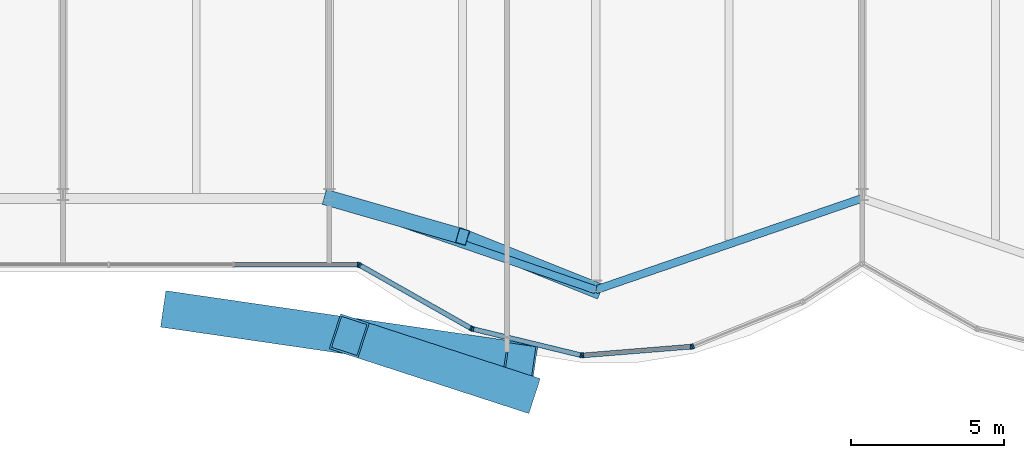
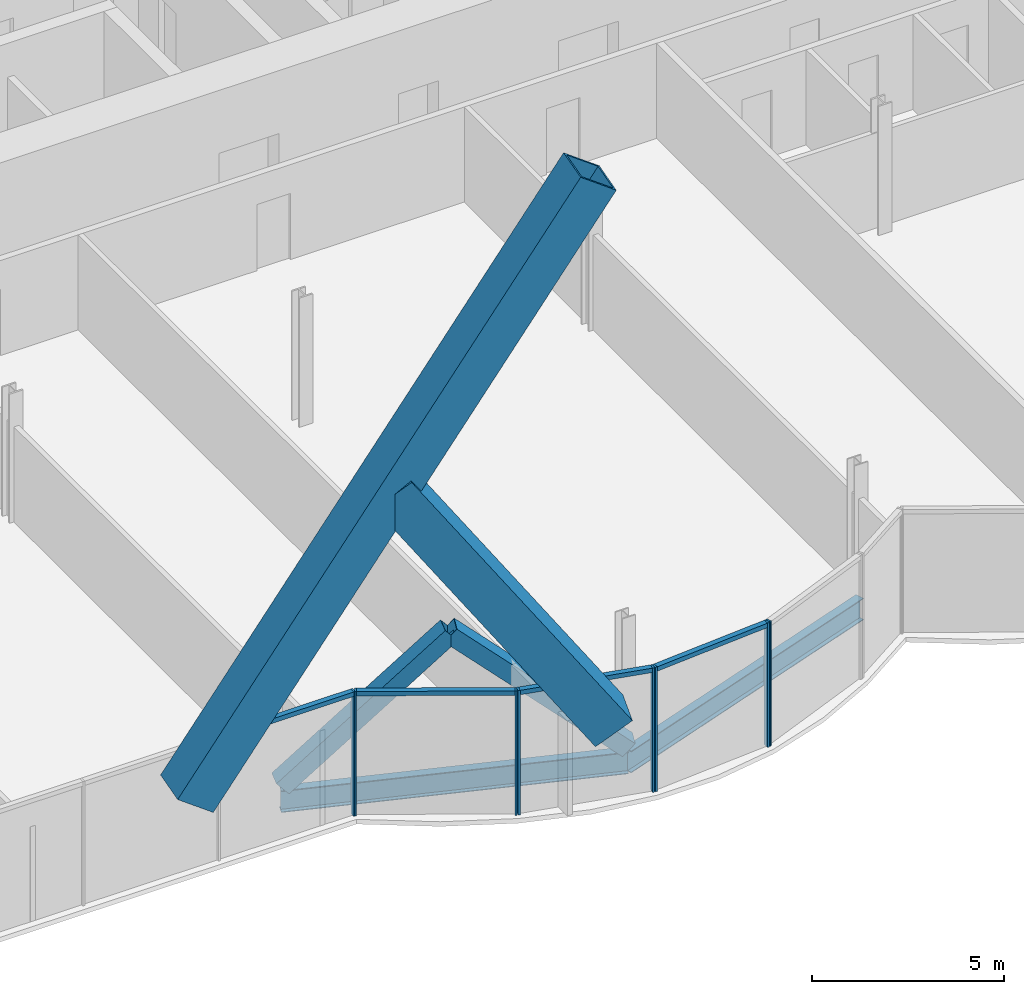
# One storey, part 5 of 22: 16 members, 2 beams, 2 elements without a shape of their own.
"""IFC4 building model written with IfcOpenShell, lengths in metres."""

from ifc_helpers import new_model, si_unit, direction, frame, origin, origin_2d, place, context, subcontext, project, spatial, rectangle, hollow_rectangle, i_section, extrude, material, material_profile, profile_set, type_object, element, aggregate, save


model = new_model("IFC4")

# Units and contexts
model_context = context("Model", 3, precision=1e-05, world=origin(), true_north=direction((0.0, 1.0)))
body_context = subcontext(model_context, "Body", "Model", "MODEL_VIEW")
ifc_project = project(units=[si_unit("LENGTHUNIT", "METRE"), si_unit("AREAUNIT", "SQUARE_METRE"), si_unit("VOLUMEUNIT", "CUBIC_METRE"), si_unit("PLANEANGLEUNIT", "RADIAN"), si_unit("MASSUNIT", "GRAM", prefix="KILO")], contexts=[model_context])

# Site, building, storey
site_placement = place(None, origin())
site = spatial("IfcSite", under=ifc_project, at=site_placement, CompositionType="ELEMENT")
building_placement = place(site_placement, origin())
building = spatial("IfcBuilding", under=site, at=building_placement, Name="Bicima Exchange Tower", CompositionType="ELEMENT")
storey_placement = place(building_placement, frame((0.0, 0.0, 102.199951171875)))
storey = spatial("IfcBuildingStorey", under=building, at=storey_placement, Name="L21", CompositionType="ELEMENT", Elevation=102.199951171875)

# Members
ifc_material_1 = material(Name="Steel ASTM A572 Gr 50", Category="steel")
ifc_material_profile_1 = material_profile(ifc_material_1, hollow_rectangle(XDim=1.199951171875, YDim=1.199951171875, WallThickness=0.070068359375, at=origin_2d()))
ifc_profile_set_1 = profile_set([ifc_material_profile_1], Name="Steel ASTM A572 Gr 50")
member_type_1 = type_object("IfcMemberType", Name="Exo mega brace BOX 1200x1200x70", PredefinedType="BRACE", material=ifc_profile_set_1)
member_1_placement = place(storey_placement, frame((-22.333251953125, -39.623779296875, 3.63330078125), z_axis=(0.551009199792, -0.080101013805, 0.830645947039), x_axis=(0.143859330984, 0.989598147173, 0.0)))
element("IfcMember", 1, at=member_1_placement, inside=storey, type_object=member_type_1, Name="Exo mega brace front", PredefinedType="BRACE", context=body_context, shape_type="SweptSolid", body=[
    extrude(hollow_rectangle(XDim=1.199951171875, YDim=1.199951171875, WallThickness=0.070068359375, at=origin_2d()), origin(), (0.0, 0.0, 1.0), 20.265625),
])
member_2_placement = place(storey_placement, frame((-11.166748046875, -42.248779296875, 3.63330078125), z_axis=(-0.54408500506, 0.176722349801, 0.820207728779), x_axis=(-0.308919619435, -0.95108814982, 0.0)))
element("IfcMember", 2, at=member_2_placement, inside=storey, type_object=member_type_1, Name="Exo mega brace front", PredefinedType="BRACE", context=body_context, shape_type="SweptSolid", body=[
    extrude(hollow_rectangle(XDim=1.199951171875, YDim=1.199951171875, WallThickness=0.070068359375, at=origin_2d()), origin(), (0.0, 0.0, 1.0), 10.26171875),
])

# Beams
ifc_material_2 = material(Name="Steel ASTM A992 Gr 50", Category="steel")
ifc_material_profile_2 = material_profile(ifc_material_2, i_section(OverallWidth=0.256591796875, OverallDepth=0.693359375, WebThickness=0.014404296875, FlangeThickness=0.023681640625, at=origin_2d()))
ifc_profile_set_2 = profile_set([ifc_material_profile_2], Name="Steel ASTM A992 Gr 50")
beam_type = type_object("IfcBeamType", Name="Front girder W27x114", PredefinedType="BEAM", material=ifc_profile_set_2)
for number, where, z_axis, x_axis, name in (
    (3, (-17.39990234375, -35.93994140625, -0.49658203125), (0.945666456746, -0.325138359143, 0.0), (0.325138359143, 0.945666456746, 0.0), "Front girder"),
    (4, (-8.699951171875, -38.93115234375, -0.49658203125), (0.945666456746, 0.325138359143, 0.0), (-0.325138359143, 0.945666456746, 0.0), "Front girder"),
):
    element("IfcBeam", number, at=place(storey_placement, frame(where, z_axis=z_axis, x_axis=x_axis)), inside=storey, type_object=beam_type, Name=name, PredefinedType="BEAM", context=body_context, shape_type="SweptSolid", body=[
        extrude(i_section(OverallWidth=0.256591796875, OverallDepth=0.693359375, WebThickness=0.014404296875, FlangeThickness=0.023681640625, at=origin_2d()), origin(), (0.0, 0.0, 1.0), 9.19970703125),
    ])

# Curtain wall, member
ifc_material_3 = material(Name="Anodised bronze aluminium", Category="aluminium")
curtain_wall_type = type_object("IfcCurtainWallType", Name="Front glass wall", PredefinedType="NOTDEFINED", material=ifc_material_3)
curtain_wall_1_placement = place(storey_placement, origin())
curtain_wall_1 = element("IfcCurtainWall", 5, at=curtain_wall_1_placement, inside=storey, type_object=curtain_wall_type, Name="Front glass wall L21 run 5", PredefinedType="NOTDEFINED")
ifc_material_profile_3 = material_profile(ifc_material_3, rectangle(XDim=0.159912109375, YDim=0.06005859375, at=origin_2d()))
ifc_profile_set_3 = profile_set([ifc_material_profile_3], Name="Anodised bronze aluminium")
member_type_2 = type_object("IfcMemberType", Name="Front glass wall mullion 60 x 160", PredefinedType="MULLION", material=ifc_profile_set_3)
member_3_placement = place(storey_placement, frame((-16.462158203125, -38.110107421875, 0.0), z_axis=(0.0, 0.0, 1.0), x_axis=(0.0, 1.0, 0.0)))
member_3 = element("IfcMember", 6, at=member_3_placement, type_object=member_type_2, Name="Front glass wall mullion 5", PredefinedType="MULLION", context=body_context, shape_type="SweptSolid", body=[
    extrude(rectangle(XDim=0.159912109375, YDim=0.06005859375, at=origin_2d()), origin(), (0.0, 0.0, 1.0), 3.949951171875),
])

# Curtain wall, members
curtain_wall_2_placement = place(storey_placement, origin())
curtain_wall_2 = element("IfcCurtainWall", 7, at=curtain_wall_2_placement, inside=storey, type_object=curtain_wall_type, Name="Front glass wall L21 run 6", PredefinedType="NOTDEFINED")
member_4_placement = place(storey_placement, frame((-16.406005859375, -38.124755859375, 0.0), z_axis=(0.0, 0.0, 1.0), x_axis=(0.493395449343, 0.869805110681, 0.0)))
member_4 = element("IfcMember", 8, at=member_4_placement, type_object=member_type_2, Name="Front glass wall mullion 1", PredefinedType="MULLION", context=body_context, shape_type="SweptSolid", body=[
    extrude(rectangle(XDim=0.159912109375, YDim=0.06005859375, at=origin_2d()), origin(), (0.0, 0.0, 1.0), 3.949951171875),
])
member_5_placement = place(storey_placement, frame((-12.7734375, -40.185302734375, 0.0), z_axis=(0.0, 0.0, 1.0), x_axis=(0.493395449343, 0.869805110681, 0.0)))
member_5 = element("IfcMember", 9, at=member_5_placement, type_object=member_type_2, Name="Front glass wall mullion 2", PredefinedType="MULLION", context=body_context, shape_type="SweptSolid", body=[
    extrude(rectangle(XDim=0.159912109375, YDim=0.06005859375, at=origin_2d()), origin(), (0.0, 0.0, 1.0), 3.949951171875),
])
member_6_placement = place(storey_placement, frame((-12.718017578125, -40.207275390625, 0.0), z_axis=(0.0, 0.0, 1.0), x_axis=(0.235681529503, 0.971830343553, 0.0)))
member_6 = element("IfcMember", 10, at=member_6_placement, type_object=member_type_2, Name="Front glass wall mullion 1", PredefinedType="MULLION", context=body_context, shape_type="SweptSolid", body=[
    extrude(rectangle(XDim=0.159912109375, YDim=0.06005859375, at=origin_2d()), origin(), (0.0, 0.0, 1.0), 3.949951171875),
])
member_7_placement = place(storey_placement, frame((-9.177490234375, -41.06591796875, 0.0), z_axis=(0.0, 0.0, 1.0), x_axis=(0.235681529503, 0.971830343553, 0.0)))
member_7 = element("IfcMember", 11, at=member_7_placement, type_object=member_type_2, Name="Front glass wall mullion 2", PredefinedType="MULLION", context=body_context, shape_type="SweptSolid", body=[
    extrude(rectangle(XDim=0.159912109375, YDim=0.06005859375, at=origin_2d()), origin(), (0.0, 0.0, 1.0), 3.949951171875),
])
member_8_placement = place(storey_placement, frame((-9.118408203125, -41.070556640625, 0.0), z_axis=(0.0, 0.0, 1.0), x_axis=(-0.080588612633, 0.99674744821, 0.0)))
member_8 = element("IfcMember", 12, at=member_8_placement, type_object=member_type_2, Name="Front glass wall mullion 1", PredefinedType="MULLION", context=body_context, shape_type="SweptSolid", body=[
    extrude(rectangle(XDim=0.159912109375, YDim=0.06005859375, at=origin_2d()), origin(), (0.0, 0.0, 1.0), 3.949951171875),
])
member_9_placement = place(storey_placement, frame((-5.583984375, -40.784912109375, 0.0), z_axis=(0.0, 0.0, 1.0), x_axis=(-0.080588612633, 0.99674744821, 0.0)))
member_9 = element("IfcMember", 13, at=member_9_placement, type_object=member_type_2, Name="Front glass wall mullion 2", PredefinedType="MULLION", context=body_context, shape_type="SweptSolid", body=[
    extrude(rectangle(XDim=0.159912109375, YDim=0.06005859375, at=origin_2d()), origin(), (0.0, 0.0, 1.0), 3.949951171875),
])
member_10_placement = place(storey_placement, frame((-5.526123046875, -40.771240234375, 0.0), z_axis=(0.0, 0.0, 1.0), x_axis=(-0.374705304, 0.92714396679, 0.0)))
member_10 = element("IfcMember", 14, at=member_10_placement, type_object=member_type_2, Name="Front glass wall mullion 1", PredefinedType="MULLION", context=body_context, shape_type="SweptSolid", body=[
    extrude(rectangle(XDim=0.159912109375, YDim=0.06005859375, at=origin_2d()), origin(), (0.0, 0.0, 1.0), 3.949951171875),
])

# Member
ifc_material_profile_4 = material_profile(ifc_material_3, rectangle(XDim=0.159912109375, YDim=0.139892578125, at=origin_2d()))
ifc_profile_set_4 = profile_set([ifc_material_profile_4], Name="Anodised bronze aluminium")
member_type_3 = type_object("IfcMemberType", Name="Front glass wall transom 140 x 160", PredefinedType="USERDEFINED", material=ifc_profile_set_4)
member_11_placement = place(storey_placement, frame((-20.501708984375, -38.110107421875, 3.880126953125), z_axis=(1.0, 0.0, 0.0), x_axis=(0.0, 1.0, 0.0)))
member_11 = element("IfcMember", 15, at=member_11_placement, type_object=member_type_3, Name="Front glass wall transom 4.1", ObjectType="TRANSOM", PredefinedType="USERDEFINED", context=body_context, shape_type="SweptSolid", body=[
    extrude(rectangle(XDim=0.159912109375, YDim=0.139892578125, at=origin_2d()), origin(), (0.0, 0.0, 1.0), 4.009521484375),
])

aggregate(curtain_wall_1, [member_3, member_11])

member_12_placement = place(storey_placement, frame((-16.3798828125, -38.1396484375, 3.880126953125), z_axis=(0.869797371721, -0.49340909208, 0.0), x_axis=(0.49340909208, 0.869797371721, 0.0)))
member_12 = element("IfcMember", 16, at=member_12_placement, type_object=member_type_3, Name="Front glass wall transom 1.1", ObjectType="TRANSOM", PredefinedType="USERDEFINED", context=body_context, shape_type="SweptSolid", body=[
    extrude(rectangle(XDim=0.159912109375, YDim=0.139892578125, at=origin_2d()), origin(), (0.0, 0.0, 1.0), 4.1162109375),
])

member_13_placement = place(storey_placement, frame((-12.68896484375, -40.21435546875, 3.880126953125), z_axis=(0.971833557815, -0.235668275132, 0.0), x_axis=(0.235668275132, 0.971833557815, 0.0)))
member_13 = element("IfcMember", 17, at=member_13_placement, type_object=member_type_3, Name="Front glass wall transom 1.1", ObjectType="TRANSOM", PredefinedType="USERDEFINED", context=body_context, shape_type="SweptSolid", body=[
    extrude(rectangle(XDim=0.159912109375, YDim=0.139892578125, at=origin_2d()), origin(), (0.0, 0.0, 1.0), 3.583251953125),
])

member_14_placement = place(storey_placement, frame((-9.08837890625, -41.068115234375, 3.880126953125), z_axis=(0.9967456465, 0.080610893699, 0.0), x_axis=(-0.080610893699, 0.9967456465, 0.0)))
member_14 = element("IfcMember", 18, at=member_14_placement, type_object=member_type_3, Name="Front glass wall transom 1.1", ObjectType="TRANSOM", PredefinedType="USERDEFINED", context=body_context, shape_type="SweptSolid", body=[
    extrude(rectangle(XDim=0.159912109375, YDim=0.139892578125, at=origin_2d()), origin(), (0.0, 0.0, 1.0), 3.48583984375),
])

aggregate(curtain_wall_2, [member_4, member_5, member_12, member_6, member_7, member_13, member_8, member_9, member_14, member_10])

# Members
ifc_material_profile_5 = material_profile(ifc_material_1, hollow_rectangle(XDim=0.508056640625, YDim=0.508056640625, WallThickness=0.0146484375, at=origin_2d()))
ifc_profile_set_5 = profile_set([ifc_material_profile_5], Name="Steel ASTM A572 Gr 50")
member_type_4 = type_object("IfcMemberType", Name="Mega brace HSS20x20x5/8", PredefinedType="BRACE", material=ifc_profile_set_5)
member_15_placement = place(storey_placement, frame((-17.39990234375, -35.93994140625, 0.0), z_axis=(0.71224719859, -0.204915481842, 0.671352048781), x_axis=(0.27648739579, 0.961017544049, 0.0)))
element("IfcMember", 19, at=member_15_placement, inside=storey, type_object=member_type_4, Name="Mega brace front", PredefinedType="BRACE", context=body_context, shape_type="SweptSolid", body=[
    extrude(hollow_rectangle(XDim=0.508056640625, YDim=0.508056640625, WallThickness=0.0146484375, at=origin_2d()), origin(), (0.0, 0.0, 1.0), 6.107177734375),
])
member_16_placement = place(storey_placement, frame((-8.699951171875, -38.93115234375, 0.0), z_axis=(-0.698718538106, 0.279440358208, 0.65856320176), x_axis=(-0.3713367687, -0.928498252132, 0.0)))
element("IfcMember", 20, at=member_16_placement, inside=storey, type_object=member_type_4, Name="Mega brace front", PredefinedType="BRACE", context=body_context, shape_type="SweptSolid", body=[
    extrude(hollow_rectangle(XDim=0.508056640625, YDim=0.508056640625, WallThickness=0.0146484375, at=origin_2d()), origin(), (0.0, 0.0, 1.0), 6.225830078125),
])

save(model, "model.ifc")
